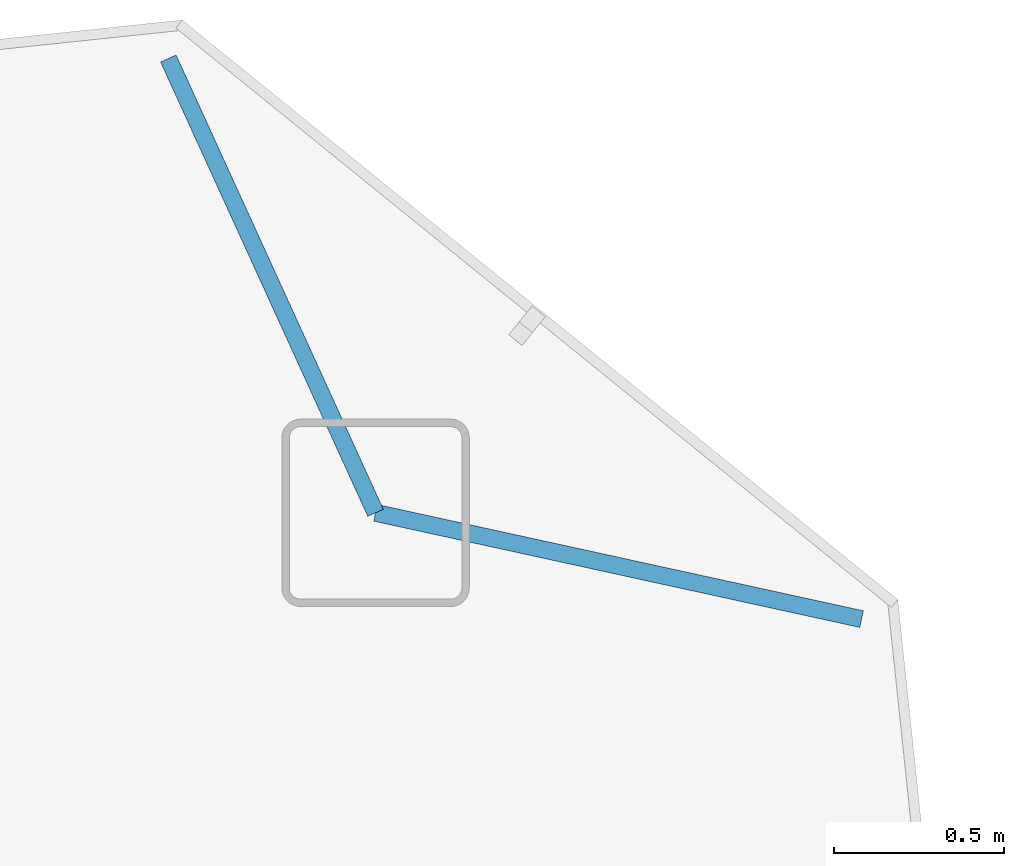
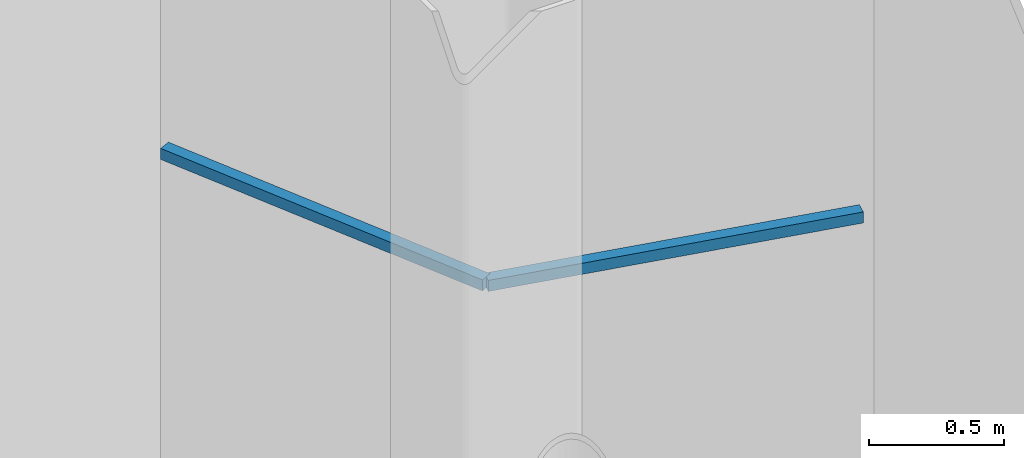
# One storey, part 15 of 28: 2 discrete accessories.
"""IFC4 building model written with IfcOpenShell, lengths in metres."""

from ifc_helpers import new_model, si_unit, direction, frame, origin, origin_2d, place, context, subcontext, project, spatial, rectangle, extrude, material, material_profile, profile_set, type_object, element, save


model = new_model("IFC4")

# Units and contexts
model_context = context("Model", 3, precision=1e-05, world=origin(), true_north=direction((0.0, 1.0)))
body_context = subcontext(model_context, "Body", "Model", "MODEL_VIEW")
ifc_project = project(units=[si_unit("LENGTHUNIT", "METRE"), si_unit("AREAUNIT", "SQUARE_METRE"), si_unit("VOLUMEUNIT", "CUBIC_METRE"), si_unit("PLANEANGLEUNIT", "RADIAN"), si_unit("MASSUNIT", "GRAM", prefix="KILO")], contexts=[model_context])

# Site, building, storey
site_placement = place(None, origin())
site = spatial("IfcSite", under=ifc_project, at=site_placement, CompositionType="ELEMENT")
building_placement = place(site_placement, origin())
building = spatial("IfcBuilding", under=site, at=building_placement, Name="Hakoniwa Tower and Hamabe Station Hall", CompositionType="ELEMENT")
storey_placement = place(building_placement, frame((0.0, 0.0, 280.800048828125)))
storey = spatial("IfcBuildingStorey", under=building, at=storey_placement, Name="L78", CompositionType="ELEMENT", Elevation=280.800048828125)

# Discrete accessories
ifc_material = material(Name="Stainless steel SUS304", Category="steel")
ifc_material_profile = material_profile(ifc_material, rectangle(XDim=0.050048828125, YDim=0.050048828125, at=origin_2d()), Name="CW-4 GLAZING BRACKET 50X50")
ifc_profile_set = profile_set([ifc_material_profile], Name="Stainless steel SUS304")
discrete_accessory_type = type_object("IfcDiscreteAccessoryType", Name="CW-4 GLAZING BRACKET 50X50", PredefinedType="BRACKET", material=ifc_profile_set)
discrete_accessory_1_placement = place(storey_placement, frame((34.142822265625, 23.375244140625, 2.63330078125), z_axis=(0.414995498476, -0.90982346433, 0.0), x_axis=(0.90982346433, 0.414995498476, 0.0)))
element("IfcDiscreteAccessory", 1, at=discrete_accessory_1_placement, inside=storey, type_object=discrete_accessory_type, Name="Glazing bracket", PredefinedType="BRACKET", context=body_context, shape_type="SweptSolid", body=[
    extrude(rectangle(XDim=0.050048828125, YDim=0.050048828125, at=origin_2d()), origin(), (0.0, 0.0, 1.0), 1.46484375),
])
discrete_accessory_2_placement = place(storey_placement, frame((36.176513671875, 21.730712890625, 2.63330078125), z_axis=(-0.976917474903, 0.21361705744, 0.0), x_axis=(-0.21361705744, -0.976917474903, 0.0)))
element("IfcDiscreteAccessory", 2, at=discrete_accessory_2_placement, inside=storey, type_object=discrete_accessory_type, Name="Glazing bracket", PredefinedType="BRACKET", context=body_context, shape_type="SweptSolid", body=[
    extrude(rectangle(XDim=0.050048828125, YDim=0.050048828125, at=origin_2d()), origin(), (0.0, 0.0, 1.0), 1.45947265625),
])

save(model, "model.ifc")
